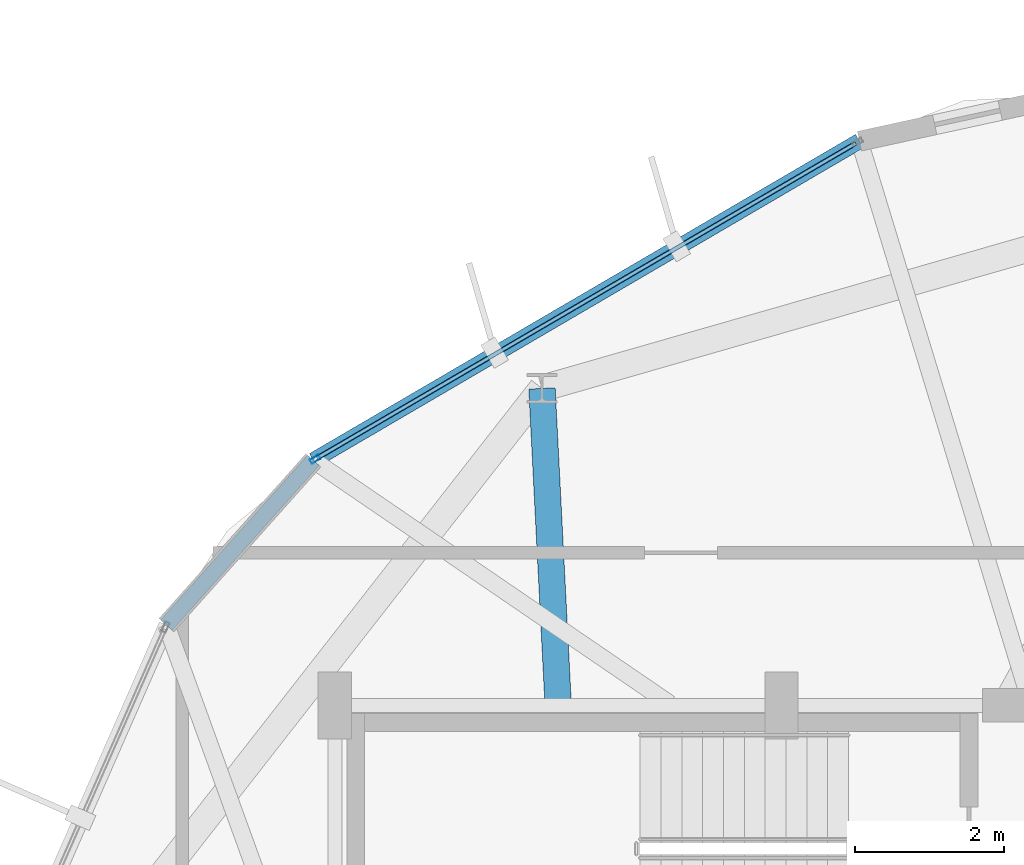
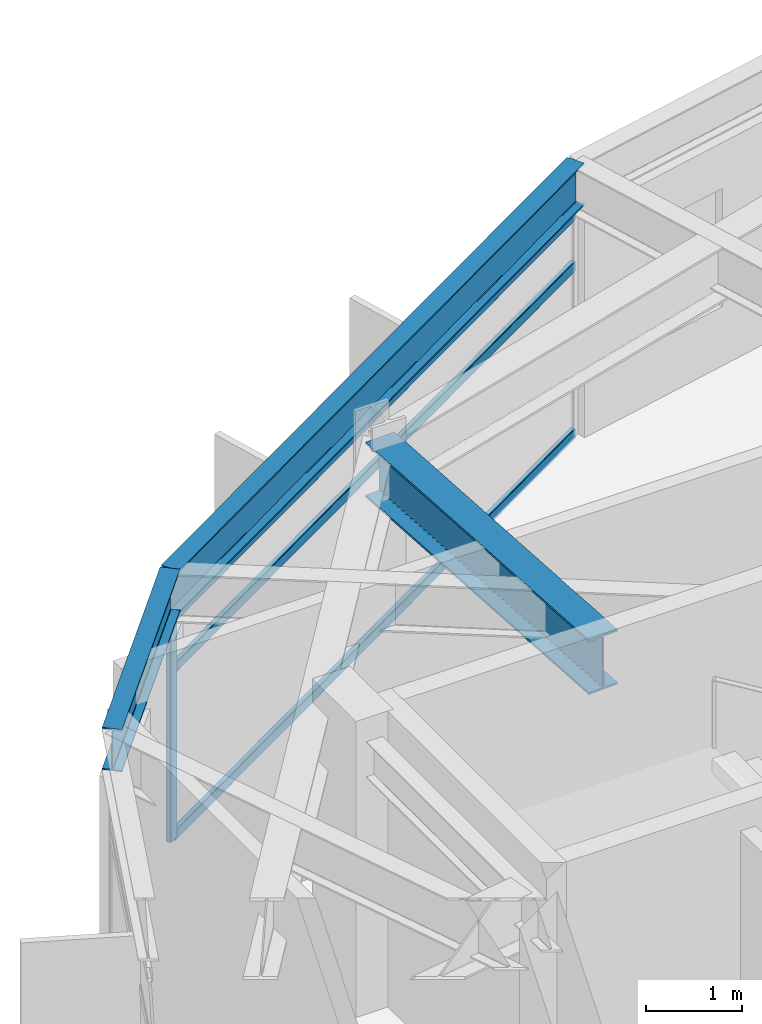
# One storey, part 15 of 25: 4 members, 3 beams, 1 element without a shape of its own.
"""IFC4 building model written with IfcOpenShell, lengths in metres."""

from ifc_helpers import new_model, si_unit, direction, frame, origin, origin_2d, place, context, subcontext, project, spatial, hollow_rectangle, i_section, extrude, material, layer, layer_set, material_profile, profile_set, type_object, element, aggregate, save


model = new_model("IFC4")

# Units and contexts
model_context = context("Model", 3, precision=1e-05, world=origin(), true_north=direction((0.0, 1.0)))
body_context = subcontext(model_context, "Body", "Model", "MODEL_VIEW")
ifc_project = project(units=[si_unit("LENGTHUNIT", "METRE"), si_unit("AREAUNIT", "SQUARE_METRE"), si_unit("VOLUMEUNIT", "CUBIC_METRE"), si_unit("PLANEANGLEUNIT", "RADIAN"), si_unit("MASSUNIT", "GRAM", prefix="KILO")], contexts=[model_context])

# Site, building, storey
site_placement = place(None, origin())
site = spatial("IfcSite", under=ifc_project, at=site_placement, CompositionType="ELEMENT")
building_placement = place(site_placement, origin())
building = spatial("IfcBuilding", under=site, at=building_placement, Name="Soratama Intermodal Tower", CompositionType="ELEMENT")
storey_placement = place(building_placement, frame((0.0, 0.0, 276.25)))
storey = spatial("IfcBuildingStorey", under=building, at=storey_placement, Name="L70", CompositionType="ELEMENT", Elevation=276.25)

# Beams
ifc_material_1 = material(Name="Structural steel ASTM A992 Grade 50", Category="steel")
ifc_material_profile_1 = material_profile(ifc_material_1, i_section(OverallWidth=0.35498046875, OverallDepth=0.695068359375, WebThickness=0.015380859375, FlangeThickness=0.02490234375, FilletRadius=0.01611328125, at=origin_2d()), Name="W27X146")
ifc_profile_set_1 = profile_set([ifc_material_profile_1], Name="Structural steel ASTM A992 Grade 50")
beam_type_1 = type_object("IfcBeamType", Name="BM-RING-W27X146", PredefinedType="BEAM", material=ifc_profile_set_1)
beam_1_placement = place(storey_placement, frame((35.60009765625, 35.0, 3.1025390625), z_axis=(-0.051122516685, 0.998692389221, 0.0), x_axis=(-0.998692389221, -0.051122516685, 0.0)))
element("IfcBeam", 1, at=beam_1_placement, inside=storey, type_object=beam_type_1, Name="BM-L70-RAD-04", PredefinedType="BEAM", context=body_context, shape_type="SweptSolid", body=[
    extrude(i_section(OverallWidth=0.35498046875, OverallDepth=0.695068359375, WebThickness=0.015380859375, FlangeThickness=0.02490234375, FilletRadius=0.01611328125, at=origin_2d()), origin(), (0.0, 0.0, 1.0), 4.2646484375),
])
ifc_material_2 = material(Name="Structural steel ASTM A992 Grade 50", Category="steel")
ifc_material_profile_2 = material_profile(ifc_material_2, i_section(OverallWidth=0.2099609375, OverallDepth=0.537109375, WebThickness=0.010986328125, FlangeThickness=0.017333984375, FilletRadius=0.012939453125, at=origin_2d()), Name="W21X68")
ifc_profile_set_2 = profile_set([ifc_material_profile_2], Name="Structural steel ASTM A992 Grade 50")
beam_type_2 = type_object("IfcBeamType", Name="BM-SPN-W21X68", PredefinedType="SPANDREL", material=ifc_profile_set_2)
beam_2_placement = place(storey_placement, frame((39.64794921875, 42.58203125, 3.181396484375), z_axis=(-0.863336840206, -0.504628081207, 0.0), x_axis=(0.504628081207, -0.863336840206, 0.0)))
element("IfcBeam", 2, at=beam_2_placement, inside=storey, type_object=beam_type_2, Name="BS-L70-F02", PredefinedType="SPANDREL", context=body_context, shape_type="SweptSolid", body=[
    extrude(i_section(OverallWidth=0.2099609375, OverallDepth=0.537109375, WebThickness=0.010986328125, FlangeThickness=0.017333984375, FilletRadius=0.012939453125, at=origin_2d()), origin(), (0.0, 0.0, 1.0), 8.49951171875),
])
beam_3_placement = place(storey_placement, frame((32.31005859375, 38.29296875, 3.181396484375), z_axis=(-0.665333641073, -0.746546144627, 0.0), x_axis=(0.746546144627, -0.665333641073, 0.0)))
element("IfcBeam", 3, at=beam_3_placement, inside=storey, type_object=beam_type_2, Name="BS-L70-CRN02", PredefinedType="SPANDREL", context=body_context, shape_type="SweptSolid", body=[
    extrude(i_section(OverallWidth=0.2099609375, OverallDepth=0.537109375, WebThickness=0.010986328125, FlangeThickness=0.017333984375, FilletRadius=0.012939453125, at=origin_2d()), origin(), (0.0, 0.0, 1.0), 2.967041015625),
])

# Curtain wall, members
ifc_material_3 = material(Name="Double-glazed aluminium curtain wall", Category="aluminium")
ifc_layer = layer(ifc_material_3, 0.159912109375)
ifc_layer_set = layer_set([ifc_layer], Name="Double-glazed aluminium curtain wall")
curtain_wall_type = type_object("IfcCurtainWallType", Name="CW-SYS-5", PredefinedType="NOTDEFINED", material=ifc_layer_set)
curtain_wall_placement = place(storey_placement, origin())
curtain_wall = element("IfcCurtainWall", 4, at=curtain_wall_placement, inside=storey, type_object=curtain_wall_type, Name="L70 Faceted Curtain Wall F02", PredefinedType="NOTDEFINED")
ifc_material_4 = material(Name="Anodised aluminium AA 6063-T6", Category="aluminium")
ifc_material_profile_3 = material_profile(ifc_material_4, hollow_rectangle(XDim=0.06494140625, YDim=0.139892578125, WallThickness=0.0048828125, InnerFilletRadius=0.0048828125, OuterFilletRadius=0.010009765625, at=origin_2d()), Name="CWM140X65X5")
ifc_profile_set_3 = profile_set([ifc_material_profile_3], Name="Anodised aluminium AA 6063-T6")
member_type_1 = type_object("IfcMemberType", Name="MT-CWM-5", PredefinedType="MULLION", material=ifc_profile_set_3)
member_1_placement = place(storey_placement, frame((32.335693359375, 38.308349609375, 0.0), z_axis=(0.0, 0.0, 1.0), x_axis=(0.504528498033, -0.863395039754, 0.0)))
member_1 = element("IfcMember", 5, at=member_1_placement, type_object=member_type_1, Name="CW-5 mullion 2", PredefinedType="MULLION", context=body_context, shape_type="SweptSolid", body=[
    extrude(hollow_rectangle(XDim=0.06494140625, YDim=0.139892578125, WallThickness=0.0048828125, InnerFilletRadius=0.0048828125, OuterFilletRadius=0.010009765625, at=origin_2d()), origin(), (0.0, 0.0, 1.0), 2.8291015625),
])
ifc_material_5 = material(Name="Anodised aluminium AA 6063-T6", Category="aluminium")
ifc_material_profile_4 = material_profile(ifc_material_5, hollow_rectangle(XDim=0.06005859375, YDim=0.1298828125, WallThickness=0.0048828125, InnerFilletRadius=0.0048828125, OuterFilletRadius=0.010009765625, at=origin_2d()), Name="CWT130X60X5")
ifc_profile_set_4 = profile_set([ifc_material_profile_4], Name="Anodised aluminium AA 6063-T6")
member_type_2 = type_object("IfcMemberType", Name="TT-CWT-2", PredefinedType="USERDEFINED", material=ifc_profile_set_4)
member_2_placement = place(storey_placement, frame((39.5966796875, 42.55126953125, 0.030029296875), z_axis=(-0.863399304475, -0.504521199784, 0.0), x_axis=(0.504521199784, -0.863399304475, 0.0)))
member_2 = element("IfcMember", 6, at=member_2_placement, type_object=member_type_2, Name="CW-5 transom 1.1", ObjectType="TRANSOM", PredefinedType="USERDEFINED", context=body_context, shape_type="SweptSolid", body=[
    extrude(hollow_rectangle(XDim=0.06005859375, YDim=0.1298828125, WallThickness=0.0048828125, InnerFilletRadius=0.0048828125, OuterFilletRadius=0.010009765625, at=origin_2d()), origin(), (0.0, 0.0, 1.0), 8.3798828125),
])
member_3_placement = place(storey_placement, frame((39.5966796875, 42.55126953125, 2.14990234375), z_axis=(-0.863399304475, -0.504521199784, 0.0), x_axis=(0.504521199784, -0.863399304475, 0.0)))
member_3 = element("IfcMember", 7, at=member_3_placement, type_object=member_type_2, Name="CW-5 transom 1.2", ObjectType="TRANSOM", PredefinedType="USERDEFINED", context=body_context, shape_type="SweptSolid", body=[
    extrude(hollow_rectangle(XDim=0.06005859375, YDim=0.1298828125, WallThickness=0.0048828125, InnerFilletRadius=0.0048828125, OuterFilletRadius=0.010009765625, at=origin_2d()), origin(), (0.0, 0.0, 1.0), 8.3798828125),
])
member_4_placement = place(storey_placement, frame((39.5966796875, 42.55126953125, 2.799072265625), z_axis=(-0.863399304475, -0.504521199784, 0.0), x_axis=(0.504521199784, -0.863399304475, 0.0)))
member_4 = element("IfcMember", 8, at=member_4_placement, type_object=member_type_2, Name="CW-5 transom 1.3", ObjectType="TRANSOM", PredefinedType="USERDEFINED", context=body_context, shape_type="SweptSolid", body=[
    extrude(hollow_rectangle(XDim=0.06005859375, YDim=0.1298828125, WallThickness=0.0048828125, InnerFilletRadius=0.0048828125, OuterFilletRadius=0.010009765625, at=origin_2d()), origin(), (0.0, 0.0, 1.0), 8.3798828125),
])
aggregate(curtain_wall, [member_1, member_2, member_3, member_4])

save(model, "model.ifc")
